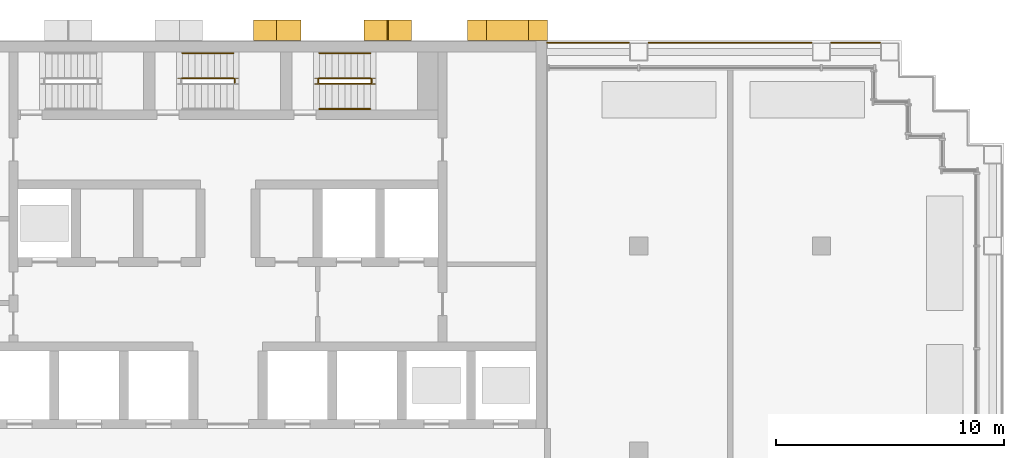
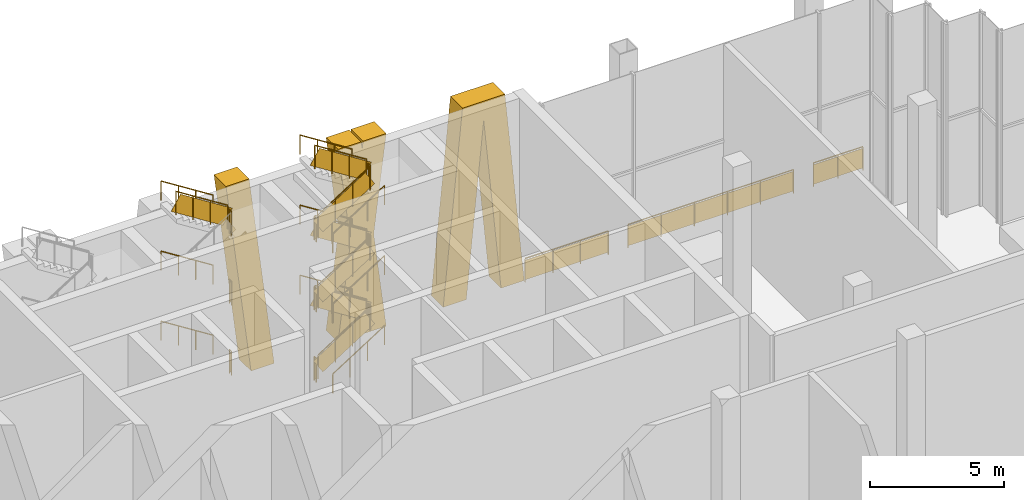
# One storey, part 14 of 16: 28 railings, 3 shading devices.
"""IFC4 building model written with IfcOpenShell, lengths in metres."""

from ifc_helpers import new_model, si_unit, direction, frame, origin, origin_2d, place, context, subcontext, project, spatial, polyline, rectangle, circle, outline, extrude, material, layer, layer_set, type_object, element, save


model = new_model("IFC4")

# Units and contexts
model_context = context("Model", 3, precision=1e-05, world=origin(), true_north=direction((0.0, 1.0)))
body_context = subcontext(model_context, "Body", "Model", "MODEL_VIEW")
ifc_project = project(units=[si_unit("LENGTHUNIT", "METRE"), si_unit("AREAUNIT", "SQUARE_METRE"), si_unit("VOLUMEUNIT", "CUBIC_METRE"), si_unit("PLANEANGLEUNIT", "RADIAN"), si_unit("MASSUNIT", "GRAM", prefix="KILO")], contexts=[model_context])

# Site, building, storey
site_placement = place(None, origin())
site = spatial("IfcSite", under=ifc_project, at=site_placement, CompositionType="ELEMENT")
building_placement = place(site_placement, origin())
building = spatial("IfcBuilding", under=site, at=building_placement, Name="Vidyagriha Tower", CompositionType="ELEMENT")
storey_placement = place(building_placement, frame((0.0, 0.0, 151.800048828125)))
storey = spatial("IfcBuildingStorey", under=building, at=storey_placement, Name="L40", CompositionType="ELEMENT", Elevation=151.800048828125)

# Shading devices
ifc_material_1 = material(Name="Precast concrete C40/50 with brick facing", Category="concrete")
ifc_layer_1 = layer(ifc_material_1, 1.0)
ifc_layer_set_1 = layer_set([ifc_layer_1], Name="Precast concrete C40/50 with brick facing")
shading_device_type_1 = type_object("IfcShadingDeviceType", Name="Brick-faced rear rib arm leaning 8 degrees", PredefinedType="USERDEFINED", material=ifc_layer_set_1)
shading_device_1_placement = place(storey_placement, frame((3.199951171875, 20.449951171875, 0.0), z_axis=(0.0, 0.0, 1.0), x_axis=(-1.0, 0.0, 0.0)))
element("IfcShadingDevice", 1, at=shading_device_1_placement, inside=storey, type_object=shading_device_type_1, Name="Rear rib arm L40 R08.3a", ObjectType="BLADE FIN", PredefinedType="USERDEFINED", context=body_context, shape_type="SweptSolid", body=[
    extrude(outline(polyline([(0.0, 0.0), (1.0, 0.0), (2.080078125, 8.800048828125), (1.080078125, 8.800048828125), (0.0, 0.0)])), frame((0.0, 0.449951171875, 0.0), z_axis=(0.0, -1.0, 0.0), x_axis=(1.0, 0.0, 0.0)), (0.0, 0.0, 1.0), 0.89990234375),
])
ifc_material_2 = material(Name="Precast concrete C40/50 with brick facing", Category="concrete")
ifc_layer_2 = layer(ifc_material_2, 1.0)
ifc_layer_set_2 = layer_set([ifc_layer_2], Name="Precast concrete C40/50 with brick facing")
shading_device_type_2 = type_object("IfcShadingDeviceType", Name="Brick-faced rear rib forking 8 degrees", PredefinedType="USERDEFINED", material=ifc_layer_set_2)
shading_device_2_placement = place(storey_placement, frame((14.0, 20.449951171875, 0.0), z_axis=(0.0, 0.0, 1.0), x_axis=(-1.0, 0.0, 0.0)))
element("IfcShadingDevice", 2, at=shading_device_2_placement, inside=storey, type_object=shading_device_type_2, Name="Rear rib fork L40 R08.1a", ObjectType="BLADE FIN", PredefinedType="USERDEFINED", context=body_context, shape_type="SweptSolid", body=[
    extrude(outline(polyline([(1.0, 0.0), (1.75, 7.919921875), (2.5, 0.0), (3.5, 0.0), (2.666748046875, 8.800048828125), (0.833251953125, 8.800048828125), (0.0, 0.0), (1.0, 0.0)])), frame((0.0, 0.449951171875, 0.0), z_axis=(0.0, -1.0, 0.0), x_axis=(1.0, 0.0, 0.0)), (0.0, 0.0, 1.0), 0.89990234375),
])
shading_device_3_placement = place(storey_placement, frame((8.0400390625, 20.449951171875, 0.0), z_axis=(0.0, 0.0, 1.0), x_axis=(-1.0, 0.0, 0.0)))
element("IfcShadingDevice", 3, at=shading_device_3_placement, inside=storey, type_object=shading_device_type_2, Name="Rear rib fork L40 R08.2a", ObjectType="BLADE FIN", PredefinedType="USERDEFINED", context=body_context, shape_type="SweptSolid", body=[
    extrude(outline(polyline([(1.0, 0.0), (1.0400390625, 0.325927734375), (1.080078125, 0.0), (2.080078125, 0.0), (1.5400390625, 4.39990234375), (2.080078125, 8.800048828125), (1.080078125, 8.800048828125), (1.0400390625, 8.47412109375), (1.0, 8.800048828125), (0.0, 8.800048828125), (0.5400390625, 4.39990234375), (0.0, 0.0), (1.0, 0.0)])), frame((0.0, 0.449951171875, 0.0), z_axis=(0.0, -1.0, 0.0), x_axis=(1.0, 0.0, 0.0)), (0.0, 0.0, 1.0), 0.89990234375),
])

# Railings
ifc_material_3 = material(Name="Steel ASTM A500 Grade C black painted", Category="steel")
railing_type_1 = type_object("IfcRailingType", Name="Gallery guard 1100", PredefinedType="GUARDRAIL", material=ifc_material_3)
railing_1_placement = place(storey_placement, frame((13.97998046875, 19.89990234375, 0.0)))
element("IfcRailing", 4, at=railing_1_placement, inside=storey, type_object=railing_type_1, Name="Gallery guard L40 16", PredefinedType="GUARDRAIL", context=body_context, shape_type="SweptSolid", body=[
    extrude(circle(Radius=0.02490234375, at=origin_2d()), frame((0.0, 0.0, 1.0751953125), z_axis=(1.0, 0.0, 0.0), x_axis=(0.0, 1.0, 0.0)), (0.0, 0.0, 1.0), 3.590087890625),
    extrude(circle(Radius=0.02001953125, at=origin_2d()), origin(), (0.0, 0.0, 1.0), 1.050048828125),
    extrude(circle(Radius=0.02001953125, at=origin_2d()), frame((1.19677734375, 0.0, 0.0)), (0.0, 0.0, 1.0), 1.050048828125),
    extrude(circle(Radius=0.02001953125, at=origin_2d()), frame((2.393310546875, 0.0, 0.0)), (0.0, 0.0, 1.0), 1.050048828125),
    extrude(circle(Radius=0.02001953125, at=origin_2d()), frame((3.590087890625, 0.0, 0.0)), (0.0, 0.0, 1.0), 1.050048828125),
    extrude(rectangle(XDim=0.010009765625, YDim=0.900146484375, at=origin_2d()), frame((0.0, 0.0, 0.550048828125), z_axis=(1.0, 0.0, 0.0), x_axis=(0.0, 1.0, 0.0)), (0.0, 0.0, 1.0), 3.590087890625),
])
railing_2_placement = place(storey_placement, frame((18.429931640625, 19.89990234375, 0.0)))
element("IfcRailing", 5, at=railing_2_placement, inside=storey, type_object=railing_type_1, Name="Gallery guard L40 18", PredefinedType="GUARDRAIL", context=body_context, shape_type="SweptSolid", body=[
    extrude(circle(Radius=0.02490234375, at=origin_2d()), frame((0.0, 0.0, 1.0751953125), z_axis=(1.0, 0.0, 0.0), x_axis=(0.0, 1.0, 0.0)), (0.0, 0.0, 1.0), 7.14013671875),
    extrude(circle(Radius=0.02001953125, at=origin_2d()), origin(), (0.0, 0.0, 1.0), 1.050048828125),
    extrude(circle(Radius=0.02001953125, at=origin_2d()), frame((1.427978515625, 0.0, 0.0)), (0.0, 0.0, 1.0), 1.050048828125),
    extrude(circle(Radius=0.02001953125, at=origin_2d()), frame((2.85595703125, 0.0, 0.0)), (0.0, 0.0, 1.0), 1.050048828125),
    extrude(circle(Radius=0.02001953125, at=origin_2d()), frame((4.2841796875, 0.0, 0.0)), (0.0, 0.0, 1.0), 1.050048828125),
    extrude(circle(Radius=0.02001953125, at=origin_2d()), frame((5.712158203125, 0.0, 0.0)), (0.0, 0.0, 1.0), 1.050048828125),
    extrude(circle(Radius=0.02001953125, at=origin_2d()), frame((7.14013671875, 0.0, 0.0)), (0.0, 0.0, 1.0), 1.050048828125),
    extrude(rectangle(XDim=0.010009765625, YDim=0.900146484375, at=origin_2d()), frame((0.0, 0.0, 0.550048828125), z_axis=(1.0, 0.0, 0.0), x_axis=(0.0, 1.0, 0.0)), (0.0, 0.0, 1.0), 7.14013671875),
])
railing_3_placement = place(storey_placement, frame((26.429931640625, 19.89990234375, 0.0)))
element("IfcRailing", 6, at=railing_3_placement, inside=storey, type_object=railing_type_1, Name="Gallery guard L40 20", PredefinedType="GUARDRAIL", context=body_context, shape_type="SweptSolid", body=[
    extrude(circle(Radius=0.02490234375, at=origin_2d()), frame((0.0, 0.0, 1.0751953125), z_axis=(1.0, 0.0, 0.0), x_axis=(0.0, 1.0, 0.0)), (0.0, 0.0, 1.0), 2.14013671875),
    extrude(circle(Radius=0.02001953125, at=origin_2d()), origin(), (0.0, 0.0, 1.0), 1.050048828125),
    extrude(circle(Radius=0.02001953125, at=origin_2d()), frame((1.070068359375, 0.0, 0.0)), (0.0, 0.0, 1.0), 1.050048828125),
    extrude(circle(Radius=0.02001953125, at=origin_2d()), frame((2.14013671875, 0.0, 0.0)), (0.0, 0.0, 1.0), 1.050048828125),
    extrude(rectangle(XDim=0.010009765625, YDim=0.900146484375, at=origin_2d()), frame((0.0, 0.0, 0.550048828125), z_axis=(1.0, 0.0, 0.0), x_axis=(0.0, 1.0, 0.0)), (0.0, 0.0, 1.0), 2.14013671875),
])
ifc_material_4 = material(Name="Steel ASTM A500 Grade C", Category="steel")
railing_type_2 = type_object("IfcRailingType", Name="Stair guard 1100 mm, steel balustrade", PredefinedType="GUARDRAIL", material=ifc_material_4)
for number, where, name in (
    (7, (0.2900390625, 18.14990234375, 1.599853515625), "L40 ST2 stair guard 2"),
    (8, (0.2900390625, 18.14990234375, 4.800048828125), "L40 ST2 stair guard 6"),
    (9, (0.2900390625, 18.14990234375, 8.0), "L40 ST2 stair guard 10"),
):
    element("IfcRailing", number, at=place(storey_placement, frame(where)), inside=storey, type_object=railing_type_2, Name=name, PredefinedType="GUARDRAIL", context=body_context, shape_type="SweptSolid", body=[
        extrude(circle(Radius=0.02392578125, at=origin_2d()), frame((0.0, 0.0, 1.076171875), z_axis=(0.0, 1.0, 0.0), x_axis=(-1.0, 0.0, 0.0)), (0.0, 0.0, 1.0), 0.150146484375),
        extrude(circle(Radius=0.02099609375, at=origin_2d()), origin(), (0.0, 0.0, 1.0), 1.052001953125),
        extrude(circle(Radius=0.02099609375, at=origin_2d()), frame((0.0, 0.150146484375, 0.0)), (0.0, 0.0, 1.0), 1.052001953125),
        extrude(rectangle(XDim=0.010009765625, YDim=0.902099609375, at=origin_2d()), frame((0.0, 0.0, 0.551025390625), z_axis=(0.0, 1.0, 0.0), x_axis=(-1.0, 0.0, 0.0)), (0.0, 0.0, 1.0), 0.150146484375),
    ])
railing_4_placement = place(storey_placement, frame((0.239990234375, 18.35009765625, 8.177734375)))
element("IfcRailing", 10, at=railing_4_placement, inside=storey, type_object=railing_type_2, Name="L40 ST2 stair guard 11", PredefinedType="GUARDRAIL", context=body_context, shape_type="SweptSolid", body=[
    extrude(circle(Radius=0.02392578125, at=origin_2d()), frame((0.0, 0.0, 1.076171875), z_axis=(-0.8442293374, 0.0, 0.53598211339), x_axis=(0.0, -1.0, 0.0)), (0.0, 0.0, 1.0), 2.6533203125),
    extrude(circle(Radius=0.02099609375, at=origin_2d()), origin(), (0.0, 0.0, 1.0), 1.052001953125),
    extrude(circle(Radius=0.02099609375, at=origin_2d()), frame((-0.74658203125, 0.0, 0.47412109375)), (0.0, 0.0, 1.0), 1.052001953125),
    extrude(circle(Radius=0.02099609375, at=origin_2d()), frame((-1.493408203125, 0.0, 0.947998046875)), (0.0, 0.0, 1.0), 1.052001953125),
    extrude(circle(Radius=0.02099609375, at=origin_2d()), frame((-2.239990234375, 0.0, 1.422119140625)), (0.0, 0.0, 1.0), 1.052001953125),
    extrude(rectangle(XDim=0.010009765625, YDim=0.761474609375, at=origin_2d()), frame((0.0, 0.0, 0.551025390625), z_axis=(-0.8442293374, 0.0, 0.53598211339), x_axis=(0.0, -1.0, 0.0)), (0.0, 0.0, 1.0), 2.6533203125),
])
railing_5_placement = place(storey_placement, frame((4.0, 18.10009765625, 0.177734375)))
element("IfcRailing", 11, at=railing_5_placement, inside=storey, type_object=railing_type_2, Name="L40 ST3 stair guard 1", PredefinedType="GUARDRAIL", context=body_context, shape_type="SweptSolid", body=[
    extrude(circle(Radius=0.02392578125, at=origin_2d()), frame((0.0, 0.0, 1.076171875), z_axis=(0.8442293374, 0.0, 0.53598211339), x_axis=(0.0, 1.0, 0.0)), (0.0, 0.0, 1.0), 2.6533203125),
    extrude(circle(Radius=0.02099609375, at=origin_2d()), origin(), (0.0, 0.0, 1.0), 1.052001953125),
    extrude(circle(Radius=0.02099609375, at=origin_2d()), frame((0.74658203125, 0.0, 0.47412109375)), (0.0, 0.0, 1.0), 1.052001953125),
    extrude(circle(Radius=0.02099609375, at=origin_2d()), frame((1.493408203125, 0.0, 0.947998046875)), (0.0, 0.0, 1.0), 1.052001953125),
    extrude(circle(Radius=0.02099609375, at=origin_2d()), frame((2.239990234375, 0.0, 1.422119140625)), (0.0, 0.0, 1.0), 1.052001953125),
    extrude(rectangle(XDim=0.010009765625, YDim=0.761474609375, at=origin_2d()), frame((0.0, 0.0, 0.551025390625), z_axis=(0.8442293374, 0.0, 0.53598211339), x_axis=(0.0, 1.0, 0.0)), (0.0, 0.0, 1.0), 2.6533203125),
])
railing_6_placement = place(storey_placement, frame((6.2900390625, 18.14990234375, 1.599853515625)))
element("IfcRailing", 12, at=railing_6_placement, inside=storey, type_object=railing_type_2, Name="L40 ST3 stair guard 2", PredefinedType="GUARDRAIL", context=body_context, shape_type="SweptSolid", body=[
    extrude(circle(Radius=0.02392578125, at=origin_2d()), frame((0.0, 0.0, 1.076171875), z_axis=(0.0, 1.0, 0.0), x_axis=(-1.0, 0.0, 0.0)), (0.0, 0.0, 1.0), 0.150146484375),
    extrude(circle(Radius=0.02099609375, at=origin_2d()), origin(), (0.0, 0.0, 1.0), 1.052001953125),
    extrude(circle(Radius=0.02099609375, at=origin_2d()), frame((0.0, 0.150146484375, 0.0)), (0.0, 0.0, 1.0), 1.052001953125),
    extrude(rectangle(XDim=0.010009765625, YDim=0.902099609375, at=origin_2d()), frame((0.0, 0.0, 0.551025390625), z_axis=(0.0, 1.0, 0.0), x_axis=(-1.0, 0.0, 0.0)), (0.0, 0.0, 1.0), 0.150146484375),
])
railing_7_placement = place(storey_placement, frame((6.239990234375, 18.35009765625, 1.77783203125)))
element("IfcRailing", 13, at=railing_7_placement, inside=storey, type_object=railing_type_2, Name="L40 ST3 stair guard 3", PredefinedType="GUARDRAIL", context=body_context, shape_type="SweptSolid", body=[
    extrude(circle(Radius=0.02392578125, at=origin_2d()), frame((0.0, 0.0, 1.076171875), z_axis=(-0.8442293374, 0.0, 0.53598211339), x_axis=(0.0, -1.0, 0.0)), (0.0, 0.0, 1.0), 2.6533203125),
    extrude(circle(Radius=0.02099609375, at=origin_2d()), origin(), (0.0, 0.0, 1.0), 1.052001953125),
    extrude(circle(Radius=0.02099609375, at=origin_2d()), frame((-0.74658203125, 0.0, 0.47412109375)), (0.0, 0.0, 1.0), 1.052001953125),
    extrude(circle(Radius=0.02099609375, at=origin_2d()), frame((-1.493408203125, 0.0, 0.947998046875)), (0.0, 0.0, 1.0), 1.052001953125),
    extrude(circle(Radius=0.02099609375, at=origin_2d()), frame((-2.239990234375, 0.0, 1.422119140625)), (0.0, 0.0, 1.0), 1.052001953125),
    extrude(rectangle(XDim=0.010009765625, YDim=0.761474609375, at=origin_2d()), frame((0.0, 0.0, 0.551025390625), z_axis=(-0.8442293374, 0.0, 0.53598211339), x_axis=(0.0, -1.0, 0.0)), (0.0, 0.0, 1.0), 2.6533203125),
])
railing_8_placement = place(storey_placement, frame((3.949951171875, 18.14990234375, 3.199951171875)))
element("IfcRailing", 14, at=railing_8_placement, inside=storey, type_object=railing_type_2, Name="L40 ST3 stair guard 4", PredefinedType="GUARDRAIL", context=body_context, shape_type="SweptSolid", body=[
    extrude(circle(Radius=0.02392578125, at=origin_2d()), frame((0.0, 0.0, 1.076171875), z_axis=(0.0, 1.0, 0.0), x_axis=(-1.0, 0.0, 0.0)), (0.0, 0.0, 1.0), 0.150146484375),
    extrude(circle(Radius=0.02099609375, at=origin_2d()), origin(), (0.0, 0.0, 1.0), 1.052001953125),
    extrude(circle(Radius=0.02099609375, at=origin_2d()), frame((0.0, 0.150146484375, 0.0)), (0.0, 0.0, 1.0), 1.052001953125),
    extrude(rectangle(XDim=0.010009765625, YDim=0.902099609375, at=origin_2d()), frame((0.0, 0.0, 0.551025390625), z_axis=(0.0, 1.0, 0.0), x_axis=(-1.0, 0.0, 0.0)), (0.0, 0.0, 1.0), 0.150146484375),
])
railing_9_placement = place(storey_placement, frame((4.0, 18.10009765625, 3.377685546875)))
element("IfcRailing", 15, at=railing_9_placement, inside=storey, type_object=railing_type_2, Name="L40 ST3 stair guard 5", PredefinedType="GUARDRAIL", context=body_context, shape_type="SweptSolid", body=[
    extrude(circle(Radius=0.02392578125, at=origin_2d()), frame((0.0, 0.0, 1.076171875), z_axis=(0.84418770128, 0.0, 0.536047689118), x_axis=(0.0, 1.0, 0.0)), (0.0, 0.0, 1.0), 2.6533203125),
    extrude(circle(Radius=0.02099609375, at=origin_2d()), origin(), (0.0, 0.0, 1.0), 1.052001953125),
    extrude(circle(Radius=0.02099609375, at=origin_2d()), frame((0.74658203125, 0.0, 0.47412109375)), (0.0, 0.0, 1.0), 1.052001953125),
    extrude(circle(Radius=0.02099609375, at=origin_2d()), frame((1.493408203125, 0.0, 0.9482421875)), (0.0, 0.0, 1.0), 1.052001953125),
    extrude(circle(Radius=0.02099609375, at=origin_2d()), frame((2.239990234375, 0.0, 1.42236328125)), (0.0, 0.0, 1.0), 1.052001953125),
    extrude(rectangle(XDim=0.010009765625, YDim=0.761474609375, at=origin_2d()), frame((0.0, 0.0, 0.551025390625), z_axis=(0.84418770128, 0.0, 0.536047689118), x_axis=(0.0, 1.0, 0.0)), (0.0, 0.0, 1.0), 2.6533203125),
])
railing_10_placement = place(storey_placement, frame((6.2900390625, 18.14990234375, 4.800048828125)))
element("IfcRailing", 16, at=railing_10_placement, inside=storey, type_object=railing_type_2, Name="L40 ST3 stair guard 6", PredefinedType="GUARDRAIL", context=body_context, shape_type="SweptSolid", body=[
    extrude(circle(Radius=0.02392578125, at=origin_2d()), frame((0.0, 0.0, 1.076171875), z_axis=(0.0, 1.0, 0.0), x_axis=(-1.0, 0.0, 0.0)), (0.0, 0.0, 1.0), 0.150146484375),
    extrude(circle(Radius=0.02099609375, at=origin_2d()), origin(), (0.0, 0.0, 1.0), 1.052001953125),
    extrude(circle(Radius=0.02099609375, at=origin_2d()), frame((0.0, 0.150146484375, 0.0)), (0.0, 0.0, 1.0), 1.052001953125),
    extrude(rectangle(XDim=0.010009765625, YDim=0.902099609375, at=origin_2d()), frame((0.0, 0.0, 0.551025390625), z_axis=(0.0, 1.0, 0.0), x_axis=(-1.0, 0.0, 0.0)), (0.0, 0.0, 1.0), 0.150146484375),
])
railing_11_placement = place(storey_placement, frame((6.239990234375, 18.35009765625, 4.977783203125)))
element("IfcRailing", 17, at=railing_11_placement, inside=storey, type_object=railing_type_2, Name="L40 ST3 stair guard 7", PredefinedType="GUARDRAIL", context=body_context, shape_type="SweptSolid", body=[
    extrude(circle(Radius=0.02392578125, at=origin_2d()), frame((0.0, 0.0, 1.076171875), z_axis=(-0.8442293374, 0.0, 0.53598211339), x_axis=(0.0, -1.0, 0.0)), (0.0, 0.0, 1.0), 2.6533203125),
    extrude(circle(Radius=0.02099609375, at=origin_2d()), origin(), (0.0, 0.0, 1.0), 1.052001953125),
    extrude(circle(Radius=0.02099609375, at=origin_2d()), frame((-0.74658203125, 0.0, 0.47412109375)), (0.0, 0.0, 1.0), 1.052001953125),
    extrude(circle(Radius=0.02099609375, at=origin_2d()), frame((-1.493408203125, 0.0, 0.947998046875)), (0.0, 0.0, 1.0), 1.052001953125),
    extrude(circle(Radius=0.02099609375, at=origin_2d()), frame((-2.239990234375, 0.0, 1.422119140625)), (0.0, 0.0, 1.0), 1.052001953125),
    extrude(rectangle(XDim=0.010009765625, YDim=0.761474609375, at=origin_2d()), frame((0.0, 0.0, 0.551025390625), z_axis=(-0.8442293374, 0.0, 0.53598211339), x_axis=(0.0, -1.0, 0.0)), (0.0, 0.0, 1.0), 2.6533203125),
])
railing_12_placement = place(storey_placement, frame((3.949951171875, 18.14990234375, 6.39990234375)))
element("IfcRailing", 18, at=railing_12_placement, inside=storey, type_object=railing_type_2, Name="L40 ST3 stair guard 8", PredefinedType="GUARDRAIL", context=body_context, shape_type="SweptSolid", body=[
    extrude(circle(Radius=0.02392578125, at=origin_2d()), frame((0.0, 0.0, 1.076171875), z_axis=(0.0, 1.0, 0.0), x_axis=(-1.0, 0.0, 0.0)), (0.0, 0.0, 1.0), 0.150146484375),
    extrude(circle(Radius=0.02099609375, at=origin_2d()), origin(), (0.0, 0.0, 1.0), 1.052001953125),
    extrude(circle(Radius=0.02099609375, at=origin_2d()), frame((0.0, 0.150146484375, 0.0)), (0.0, 0.0, 1.0), 1.052001953125),
    extrude(rectangle(XDim=0.010009765625, YDim=0.902099609375, at=origin_2d()), frame((0.0, 0.0, 0.551025390625), z_axis=(0.0, 1.0, 0.0), x_axis=(-1.0, 0.0, 0.0)), (0.0, 0.0, 1.0), 0.150146484375),
])
railing_13_placement = place(storey_placement, frame((4.0, 18.10009765625, 6.57763671875)))
element("IfcRailing", 19, at=railing_13_placement, inside=storey, type_object=railing_type_2, Name="L40 ST3 stair guard 9", PredefinedType="GUARDRAIL", context=body_context, shape_type="SweptSolid", body=[
    extrude(circle(Radius=0.02392578125, at=origin_2d()), frame((0.0, 0.0, 1.076171875), z_axis=(0.84418770128, 0.0, 0.536047689118), x_axis=(0.0, 1.0, 0.0)), (0.0, 0.0, 1.0), 2.6533203125),
    extrude(circle(Radius=0.02099609375, at=origin_2d()), origin(), (0.0, 0.0, 1.0), 1.052001953125),
    extrude(circle(Radius=0.02099609375, at=origin_2d()), frame((0.74658203125, 0.0, 0.47412109375)), (0.0, 0.0, 1.0), 1.052001953125),
    extrude(circle(Radius=0.02099609375, at=origin_2d()), frame((1.493408203125, 0.0, 0.9482421875)), (0.0, 0.0, 1.0), 1.052001953125),
    extrude(circle(Radius=0.02099609375, at=origin_2d()), frame((2.239990234375, 0.0, 1.42236328125)), (0.0, 0.0, 1.0), 1.052001953125),
    extrude(rectangle(XDim=0.010009765625, YDim=0.761474609375, at=origin_2d()), frame((0.0, 0.0, 0.551025390625), z_axis=(0.84418770128, 0.0, 0.536047689118), x_axis=(0.0, 1.0, 0.0)), (0.0, 0.0, 1.0), 2.6533203125),
])
railing_14_placement = place(storey_placement, frame((6.2900390625, 18.14990234375, 8.0)))
element("IfcRailing", 20, at=railing_14_placement, inside=storey, type_object=railing_type_2, Name="L40 ST3 stair guard 10", PredefinedType="GUARDRAIL", context=body_context, shape_type="SweptSolid", body=[
    extrude(circle(Radius=0.02392578125, at=origin_2d()), frame((0.0, 0.0, 1.076171875), z_axis=(0.0, 1.0, 0.0), x_axis=(-1.0, 0.0, 0.0)), (0.0, 0.0, 1.0), 0.150146484375),
    extrude(circle(Radius=0.02099609375, at=origin_2d()), origin(), (0.0, 0.0, 1.0), 1.052001953125),
    extrude(circle(Radius=0.02099609375, at=origin_2d()), frame((0.0, 0.150146484375, 0.0)), (0.0, 0.0, 1.0), 1.052001953125),
    extrude(rectangle(XDim=0.010009765625, YDim=0.902099609375, at=origin_2d()), frame((0.0, 0.0, 0.551025390625), z_axis=(0.0, 1.0, 0.0), x_axis=(-1.0, 0.0, 0.0)), (0.0, 0.0, 1.0), 0.150146484375),
])
railing_15_placement = place(storey_placement, frame((6.239990234375, 18.35009765625, 8.177734375)))
element("IfcRailing", 21, at=railing_15_placement, inside=storey, type_object=railing_type_2, Name="L40 ST3 stair guard 11", PredefinedType="GUARDRAIL", context=body_context, shape_type="SweptSolid", body=[
    extrude(circle(Radius=0.02392578125, at=origin_2d()), frame((0.0, 0.0, 1.076171875), z_axis=(-0.8442293374, 0.0, 0.53598211339), x_axis=(0.0, -1.0, 0.0)), (0.0, 0.0, 1.0), 2.6533203125),
    extrude(circle(Radius=0.02099609375, at=origin_2d()), origin(), (0.0, 0.0, 1.0), 1.052001953125),
    extrude(circle(Radius=0.02099609375, at=origin_2d()), frame((-0.74658203125, 0.0, 0.47412109375)), (0.0, 0.0, 1.0), 1.052001953125),
    extrude(circle(Radius=0.02099609375, at=origin_2d()), frame((-1.493408203125, 0.0, 0.947998046875)), (0.0, 0.0, 1.0), 1.052001953125),
    extrude(circle(Radius=0.02099609375, at=origin_2d()), frame((-2.239990234375, 0.0, 1.422119140625)), (0.0, 0.0, 1.0), 1.052001953125),
    extrude(rectangle(XDim=0.010009765625, YDim=0.761474609375, at=origin_2d()), frame((0.0, 0.0, 0.551025390625), z_axis=(-0.8442293374, 0.0, 0.53598211339), x_axis=(0.0, -1.0, 0.0)), (0.0, 0.0, 1.0), 2.6533203125),
])
railing_16_placement = place(storey_placement, frame((3.949951171875, 18.14990234375, 0.0)))
element("IfcRailing", 22, at=railing_16_placement, inside=storey, type_object=railing_type_2, Name="L40 ST3 stair guard 12", PredefinedType="GUARDRAIL", context=body_context, shape_type="SweptSolid", body=[
    extrude(circle(Radius=0.02392578125, at=origin_2d()), frame((0.0, 0.0, 1.076171875), z_axis=(0.0, 1.0, 0.0), x_axis=(-1.0, 0.0, 0.0)), (0.0, 0.0, 1.0), 0.150146484375),
    extrude(circle(Radius=0.02099609375, at=origin_2d()), origin(), (0.0, 0.0, 1.0), 1.052001953125),
    extrude(circle(Radius=0.02099609375, at=origin_2d()), frame((0.0, 0.150146484375, 0.0)), (0.0, 0.0, 1.0), 1.052001953125),
    extrude(rectangle(XDim=0.010009765625, YDim=0.902099609375, at=origin_2d()), frame((0.0, 0.0, 0.551025390625), z_axis=(0.0, 1.0, 0.0), x_axis=(-1.0, 0.0, 0.0)), (0.0, 0.0, 1.0), 0.150146484375),
])
ifc_material_5 = material(Name="Steel ASTM A500 Grade C", Category="steel")
railing_type_3 = type_object("IfcRailingType", Name="Stair handrail 900 mm, steel", PredefinedType="HANDRAIL", material=ifc_material_5)
for number, where, name in (
    (23, (0.239990234375, 19.449951171875, 1.77783203125), "L40 ST2 stair handrail 2"),
    (24, (0.239990234375, 19.449951171875, 4.977783203125), "L40 ST2 stair handrail 4"),
    (25, (0.239990234375, 19.449951171875, 8.177734375), "L40 ST2 stair handrail 6"),
):
    element("IfcRailing", number, at=place(storey_placement, frame(where)), inside=storey, type_object=railing_type_3, Name=name, PredefinedType="HANDRAIL", context=body_context, shape_type="SweptSolid", body=[
        extrude(circle(Radius=0.02392578125, at=origin_2d()), frame((0.0, 0.0, 0.8759765625), z_axis=(-0.8442293374, 0.0, 0.53598211339), x_axis=(0.0, -1.0, 0.0)), (0.0, 0.0, 1.0), 2.6533203125),
        extrude(circle(Radius=0.02099609375, at=origin_2d()), origin(), (0.0, 0.0, 1.0), 0.851806640625),
        extrude(circle(Radius=0.02099609375, at=origin_2d()), frame((-0.74658203125, 0.0, 0.47412109375)), (0.0, 0.0, 1.0), 0.851806640625),
        extrude(circle(Radius=0.02099609375, at=origin_2d()), frame((-1.493408203125, 0.0, 0.947998046875)), (0.0, 0.0, 1.0), 0.851806640625),
        extrude(circle(Radius=0.02099609375, at=origin_2d()), frame((-2.239990234375, 0.0, 1.422119140625)), (0.0, 0.0, 1.0), 0.851806640625),
    ])
railing_17_placement = place(storey_placement, frame((4.0, 17.0, 0.177734375)))
element("IfcRailing", 26, at=railing_17_placement, inside=storey, type_object=railing_type_3, Name="L40 ST3 stair handrail 1", PredefinedType="HANDRAIL", context=body_context, shape_type="SweptSolid", body=[
    extrude(circle(Radius=0.02392578125, at=origin_2d()), frame((0.0, 0.0, 0.8759765625), z_axis=(0.8442293374, 0.0, 0.53598211339), x_axis=(0.0, 1.0, 0.0)), (0.0, 0.0, 1.0), 2.6533203125),
    extrude(circle(Radius=0.02099609375, at=origin_2d()), origin(), (0.0, 0.0, 1.0), 0.851806640625),
    extrude(circle(Radius=0.02099609375, at=origin_2d()), frame((0.74658203125, 0.0, 0.47412109375)), (0.0, 0.0, 1.0), 0.851806640625),
    extrude(circle(Radius=0.02099609375, at=origin_2d()), frame((1.493408203125, 0.0, 0.947998046875)), (0.0, 0.0, 1.0), 0.851806640625),
    extrude(circle(Radius=0.02099609375, at=origin_2d()), frame((2.239990234375, 0.0, 1.422119140625)), (0.0, 0.0, 1.0), 0.851806640625),
])
railing_18_placement = place(storey_placement, frame((6.239990234375, 19.449951171875, 1.77783203125)))
element("IfcRailing", 27, at=railing_18_placement, inside=storey, type_object=railing_type_3, Name="L40 ST3 stair handrail 2", PredefinedType="HANDRAIL", context=body_context, shape_type="SweptSolid", body=[
    extrude(circle(Radius=0.02392578125, at=origin_2d()), frame((0.0, 0.0, 0.8759765625), z_axis=(-0.8442293374, 0.0, 0.53598211339), x_axis=(0.0, -1.0, 0.0)), (0.0, 0.0, 1.0), 2.6533203125),
    extrude(circle(Radius=0.02099609375, at=origin_2d()), origin(), (0.0, 0.0, 1.0), 0.851806640625),
    extrude(circle(Radius=0.02099609375, at=origin_2d()), frame((-0.74658203125, 0.0, 0.47412109375)), (0.0, 0.0, 1.0), 0.851806640625),
    extrude(circle(Radius=0.02099609375, at=origin_2d()), frame((-1.493408203125, 0.0, 0.947998046875)), (0.0, 0.0, 1.0), 0.851806640625),
    extrude(circle(Radius=0.02099609375, at=origin_2d()), frame((-2.239990234375, 0.0, 1.422119140625)), (0.0, 0.0, 1.0), 0.851806640625),
])
railing_19_placement = place(storey_placement, frame((4.0, 17.0, 3.377685546875)))
element("IfcRailing", 28, at=railing_19_placement, inside=storey, type_object=railing_type_3, Name="L40 ST3 stair handrail 3", PredefinedType="HANDRAIL", context=body_context, shape_type="SweptSolid", body=[
    extrude(circle(Radius=0.02392578125, at=origin_2d()), frame((0.0, 0.0, 0.8759765625), z_axis=(0.84418770128, 0.0, 0.536047689118), x_axis=(0.0, 1.0, 0.0)), (0.0, 0.0, 1.0), 2.6533203125),
    extrude(circle(Radius=0.02099609375, at=origin_2d()), origin(), (0.0, 0.0, 1.0), 0.851806640625),
    extrude(circle(Radius=0.02099609375, at=origin_2d()), frame((0.74658203125, 0.0, 0.47412109375)), (0.0, 0.0, 1.0), 0.851806640625),
    extrude(circle(Radius=0.02099609375, at=origin_2d()), frame((1.493408203125, 0.0, 0.9482421875)), (0.0, 0.0, 1.0), 0.851806640625),
    extrude(circle(Radius=0.02099609375, at=origin_2d()), frame((2.239990234375, 0.0, 1.42236328125)), (0.0, 0.0, 1.0), 0.851806640625),
])
railing_20_placement = place(storey_placement, frame((6.239990234375, 19.449951171875, 4.977783203125)))
element("IfcRailing", 29, at=railing_20_placement, inside=storey, type_object=railing_type_3, Name="L40 ST3 stair handrail 4", PredefinedType="HANDRAIL", context=body_context, shape_type="SweptSolid", body=[
    extrude(circle(Radius=0.02392578125, at=origin_2d()), frame((0.0, 0.0, 0.8759765625), z_axis=(-0.8442293374, 0.0, 0.53598211339), x_axis=(0.0, -1.0, 0.0)), (0.0, 0.0, 1.0), 2.6533203125),
    extrude(circle(Radius=0.02099609375, at=origin_2d()), origin(), (0.0, 0.0, 1.0), 0.851806640625),
    extrude(circle(Radius=0.02099609375, at=origin_2d()), frame((-0.74658203125, 0.0, 0.47412109375)), (0.0, 0.0, 1.0), 0.851806640625),
    extrude(circle(Radius=0.02099609375, at=origin_2d()), frame((-1.493408203125, 0.0, 0.947998046875)), (0.0, 0.0, 1.0), 0.851806640625),
    extrude(circle(Radius=0.02099609375, at=origin_2d()), frame((-2.239990234375, 0.0, 1.422119140625)), (0.0, 0.0, 1.0), 0.851806640625),
])
railing_21_placement = place(storey_placement, frame((4.0, 17.0, 6.57763671875)))
element("IfcRailing", 30, at=railing_21_placement, inside=storey, type_object=railing_type_3, Name="L40 ST3 stair handrail 5", PredefinedType="HANDRAIL", context=body_context, shape_type="SweptSolid", body=[
    extrude(circle(Radius=0.02392578125, at=origin_2d()), frame((0.0, 0.0, 0.8759765625), z_axis=(0.84418770128, 0.0, 0.536047689118), x_axis=(0.0, 1.0, 0.0)), (0.0, 0.0, 1.0), 2.6533203125),
    extrude(circle(Radius=0.02099609375, at=origin_2d()), origin(), (0.0, 0.0, 1.0), 0.851806640625),
    extrude(circle(Radius=0.02099609375, at=origin_2d()), frame((0.74658203125, 0.0, 0.47412109375)), (0.0, 0.0, 1.0), 0.851806640625),
    extrude(circle(Radius=0.02099609375, at=origin_2d()), frame((1.493408203125, 0.0, 0.9482421875)), (0.0, 0.0, 1.0), 0.851806640625),
    extrude(circle(Radius=0.02099609375, at=origin_2d()), frame((2.239990234375, 0.0, 1.42236328125)), (0.0, 0.0, 1.0), 0.851806640625),
])
railing_22_placement = place(storey_placement, frame((6.239990234375, 19.449951171875, 8.177734375)))
element("IfcRailing", 31, at=railing_22_placement, inside=storey, type_object=railing_type_3, Name="L40 ST3 stair handrail 6", PredefinedType="HANDRAIL", context=body_context, shape_type="SweptSolid", body=[
    extrude(circle(Radius=0.02392578125, at=origin_2d()), frame((0.0, 0.0, 0.8759765625), z_axis=(-0.8442293374, 0.0, 0.53598211339), x_axis=(0.0, -1.0, 0.0)), (0.0, 0.0, 1.0), 2.6533203125),
    extrude(circle(Radius=0.02099609375, at=origin_2d()), origin(), (0.0, 0.0, 1.0), 0.851806640625),
    extrude(circle(Radius=0.02099609375, at=origin_2d()), frame((-0.74658203125, 0.0, 0.47412109375)), (0.0, 0.0, 1.0), 0.851806640625),
    extrude(circle(Radius=0.02099609375, at=origin_2d()), frame((-1.493408203125, 0.0, 0.947998046875)), (0.0, 0.0, 1.0), 0.851806640625),
    extrude(circle(Radius=0.02099609375, at=origin_2d()), frame((-2.239990234375, 0.0, 1.422119140625)), (0.0, 0.0, 1.0), 0.851806640625),
])

save(model, "model.ifc")
